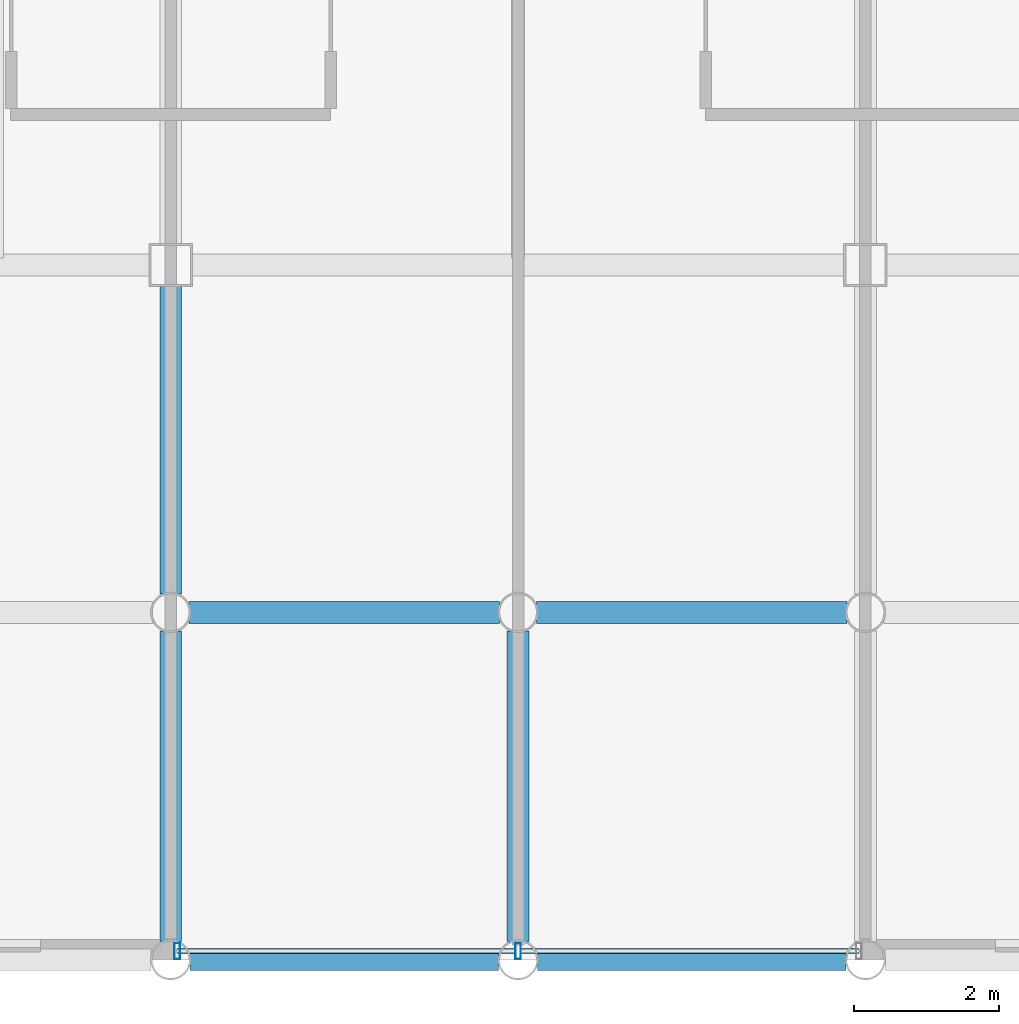
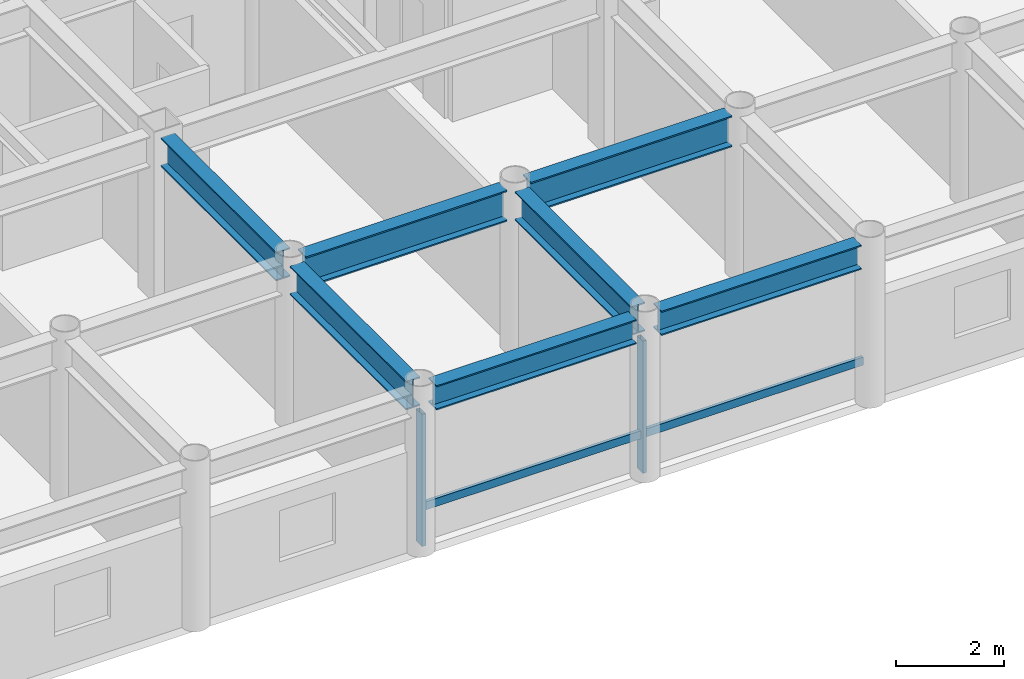
# One storey, part 4 of 23: 7 beams, 4 members, 1 element without a shape of its own.
"""IFC4 building model written with IfcOpenShell, lengths in metres."""

from ifc_helpers import new_model, si_unit, direction, frame, origin, origin_2d, place, context, subcontext, project, spatial, hollow_rectangle, i_section, extrude, material, layer, layer_set, material_profile, profile_set, type_object, element, aggregate, save


model = new_model("IFC4")

# Units and contexts
model_context = context("Model", 3, precision=1e-05, world=origin(), true_north=direction((0.0, 1.0)))
body_context = subcontext(model_context, "Body", "Model", "MODEL_VIEW")
ifc_project = project(units=[si_unit("LENGTHUNIT", "METRE"), si_unit("AREAUNIT", "SQUARE_METRE"), si_unit("VOLUMEUNIT", "CUBIC_METRE"), si_unit("PLANEANGLEUNIT", "RADIAN"), si_unit("MASSUNIT", "GRAM", prefix="KILO")], contexts=[model_context])

# Site, building, storey
site_placement = place(None, origin())
site = spatial("IfcSite", under=ifc_project, at=site_placement, CompositionType="ELEMENT")
building_placement = place(site_placement, origin())
building = spatial("IfcBuilding", under=site, at=building_placement, Name="Kallvorn Hotel Tower", CompositionType="ELEMENT")
storey_placement = place(building_placement, frame((0.0, 0.0, 195.35009765625)))
storey = spatial("IfcBuildingStorey", under=building, at=storey_placement, Name="L48", CompositionType="ELEMENT", Elevation=195.35009765625)

# Beams
ifc_material_1 = material(Name="Structural steel S355JR", Category="steel")
ifc_material_profile_1 = material_profile(ifc_material_1, i_section(OverallWidth=0.300048828125, OverallDepth=0.550048828125, WebThickness=0.014892578125, FlangeThickness=0.029052734375, at=origin_2d()), Name="HE 550 B")
ifc_profile_set_1 = profile_set([ifc_material_profile_1], Name="Structural steel S355JR")
beam_type_1 = type_object("IfcBeamType", Name="BM_HE550B", PredefinedType="SPANDREL", material=ifc_profile_set_1)
for number, where, z_axis, x_axis, name in (
    (1, (-4.530517578125, -24.0, 3.39501953125), (1.0, 0.0, 0.0), (0.0, 1.0, 0.0), "L49 Perimeter Spandrel 155"),
    (2, (0.26953125, -24.0, 3.39501953125), (1.0, 0.0, 0.0), (0.0, 1.0, 0.0), "L49 Perimeter Spandrel 156"),
):
    element("IfcBeam", number, at=place(storey_placement, frame(where, z_axis=z_axis, x_axis=x_axis)), inside=storey, type_object=beam_type_1, Name=name, PredefinedType="SPANDREL", context=body_context, shape_type="SweptSolid", body=[
        extrude(i_section(OverallWidth=0.300048828125, OverallDepth=0.550048828125, WebThickness=0.014892578125, FlangeThickness=0.029052734375, at=origin_2d()), origin(), (0.0, 0.0, 1.0), 4.260986328125),
    ])
ifc_material_2 = material(Name="Structural steel S355JR", Category="steel")
ifc_material_profile_2 = material_profile(ifc_material_2, i_section(OverallWidth=0.300048828125, OverallDepth=0.64990234375, WebThickness=0.01611328125, FlangeThickness=0.031005859375, at=origin_2d()), Name="HE 650 B")
ifc_profile_set_2 = profile_set([ifc_material_profile_2], Name="Structural steel S355JR")
beam_type_2 = type_object("IfcBeamType", Name="BM_HE650B", PredefinedType="BEAM", material=ifc_profile_set_2)
beam_1_placement = place(storey_placement, frame((-4.800048828125, -23.74560546875, 3.344970703125), z_axis=(0.0, 1.0, 0.0), x_axis=(-1.0, 0.0, 0.0)))
element("IfcBeam", 3, at=beam_1_placement, inside=storey, type_object=beam_type_2, Name="L49 Primary Y-Girder 105", PredefinedType="BEAM", context=body_context, shape_type="SweptSolid", body=[
    extrude(i_section(OverallWidth=0.300048828125, OverallDepth=0.64990234375, WebThickness=0.01611328125, FlangeThickness=0.031005859375, at=origin_2d()), origin(), (0.0, 0.0, 1.0), 4.291015625),
])
beam_2_placement = place(storey_placement, frame((-4.800048828125, -18.945556640625, 3.344970703125), z_axis=(0.0, 1.0, 0.0), x_axis=(-1.0, 0.0, 0.0)))
element("IfcBeam", 4, at=beam_2_placement, inside=storey, type_object=beam_type_2, Name="L49 Primary Y-Girder 106", PredefinedType="BEAM", context=body_context, shape_type="SweptSolid", body=[
    extrude(i_section(OverallWidth=0.300048828125, OverallDepth=0.64990234375, WebThickness=0.01611328125, FlangeThickness=0.031005859375, at=origin_2d()), origin(), (0.0, 0.0, 1.0), 4.2705078125),
])
beam_3_placement = place(storey_placement, frame((0.0, -23.74560546875, 3.344970703125), z_axis=(0.0, 1.0, 0.0), x_axis=(-1.0, 0.0, 0.0)))
element("IfcBeam", 5, at=beam_3_placement, inside=storey, type_object=beam_type_2, Name="L49 Primary Y-Girder 110", PredefinedType="BEAM", context=body_context, shape_type="SweptSolid", body=[
    extrude(i_section(OverallWidth=0.300048828125, OverallDepth=0.64990234375, WebThickness=0.01611328125, FlangeThickness=0.031005859375, at=origin_2d()), origin(), (0.0, 0.0, 1.0), 4.291015625),
])
ifc_material_3 = material(Name="Structural steel S355JR", Category="steel")
ifc_material_profile_3 = material_profile(ifc_material_3, i_section(OverallWidth=0.300048828125, OverallDepth=0.699951171875, WebThickness=0.01708984375, FlangeThickness=0.031982421875, at=origin_2d()), Name="HE 700 B")
ifc_profile_set_3 = profile_set([ifc_material_profile_3], Name="Structural steel S355JR")
beam_type_3 = type_object("IfcBeamType", Name="BM_HE700B", PredefinedType="BEAM", material=ifc_profile_set_3)
for number, where, z_axis, x_axis, name in (
    (6, (-4.54541015625, -19.199951171875, 3.31982421875), (1.0, 0.0, 0.0), (0.0, 1.0, 0.0), "L49 Primary X-Girder 06"),
    (7, (0.25439453125, -19.199951171875, 3.31982421875), (1.0, 0.0, 0.0), (0.0, 1.0, 0.0), "L49 Primary X-Girder 07"),
):
    element("IfcBeam", number, at=place(storey_placement, frame(where, z_axis=z_axis, x_axis=x_axis)), inside=storey, type_object=beam_type_3, Name=name, PredefinedType="BEAM", context=body_context, shape_type="SweptSolid", body=[
        extrude(i_section(OverallWidth=0.300048828125, OverallDepth=0.699951171875, WebThickness=0.01708984375, FlangeThickness=0.031982421875, at=origin_2d()), origin(), (0.0, 0.0, 1.0), 4.291015625),
    ])

# Curtain wall, members
ifc_material_4 = material(Name="Thermally broken black-anodised aluminium AA 6063-T6", Category="aluminium")
ifc_layer = layer(ifc_material_4, 0.22998046875)
ifc_layer_set = layer_set([ifc_layer], Name="CW_SYS_5_HOTEL_HIGH")
curtain_wall_type = type_object("IfcCurtainWallType", Name="CW_SYS_5_HOTEL_HIGH", PredefinedType="USERDEFINED", material=ifc_layer_set)
curtain_wall_placement = place(storey_placement, origin())
curtain_wall = element("IfcCurtainWall", 8, at=curtain_wall_placement, inside=storey, type_object=curtain_wall_type, Name="L48 Dark-Glass Curtain Wall CW-L48-SC", ObjectType="UNITISED CURTAIN WALL", PredefinedType="USERDEFINED")
ifc_material_5 = material(Name="Thermally broken black-anodised aluminium AA 6063-T6", Category="aluminium")
ifc_material_profile_4 = material_profile(ifc_material_5, hollow_rectangle(XDim=0.080078125, YDim=0.219970703125, WallThickness=0.0048828125, at=origin_2d()), Name="MUL 220x80")
ifc_profile_set_4 = profile_set([ifc_material_profile_4], Name="Thermally broken black-anodised aluminium AA 6063-T6")
member_type_1 = type_object("IfcMemberType", Name="CW_MULLION_220x80", PredefinedType="MULLION", material=ifc_profile_set_4)
member_1_placement = place(storey_placement, frame((-4.7099609375, -23.8798828125, 0.02001953125), z_axis=(0.0, 0.0, 1.0), x_axis=(1.0, 0.0, 0.0)))
member_1 = element("IfcMember", 9, at=member_1_placement, type_object=member_type_1, Name="CW-L48-SC Mullion 00", PredefinedType="MULLION", context=body_context, shape_type="SweptSolid", body=[
    extrude(hollow_rectangle(XDim=0.080078125, YDim=0.219970703125, WallThickness=0.0048828125, at=origin_2d()), origin(), (0.0, 0.0, 1.0), 2.97998046875),
])
member_2_placement = place(storey_placement, frame((0.0, -23.8798828125, 0.02001953125), z_axis=(0.0, 0.0, 1.0), x_axis=(1.0, 0.0, 0.0)))
member_2 = element("IfcMember", 10, at=member_2_placement, type_object=member_type_1, Name="CW-L48-SC Mullion 01", PredefinedType="MULLION", context=body_context, shape_type="SweptSolid", body=[
    extrude(hollow_rectangle(XDim=0.080078125, YDim=0.219970703125, WallThickness=0.0048828125, at=origin_2d()), origin(), (0.0, 0.0, 1.0), 2.97998046875),
])
ifc_material_6 = material(Name="Thermally broken black-anodised aluminium AA 6063-T6", Category="aluminium")
ifc_material_profile_5 = material_profile(ifc_material_6, hollow_rectangle(XDim=0.070068359375, YDim=0.179931640625, WallThickness=0.00390625, at=origin_2d()), Name="TRN 180x70")
ifc_profile_set_5 = profile_set([ifc_material_profile_5], Name="Thermally broken black-anodised aluminium AA 6063-T6")
member_type_2 = type_object("IfcMemberType", Name="CW_TRANSOM_180x70", PredefinedType="USERDEFINED", material=ifc_profile_set_5)
member_3_placement = place(storey_placement, frame((-4.7099609375, -23.8798828125, 0.849853515625), z_axis=(1.0, 0.0, 0.0), x_axis=(0.0, 1.0, 0.0)))
member_3 = element("IfcMember", 11, at=member_3_placement, type_object=member_type_2, Name="CW-L48-SC Transom 00M", ObjectType="TRANSOM", PredefinedType="USERDEFINED", context=body_context, shape_type="SweptSolid", body=[
    extrude(hollow_rectangle(XDim=0.070068359375, YDim=0.179931640625, WallThickness=0.00390625, at=origin_2d()), origin(), (0.0, 0.0, 1.0), 4.669921875),
])
member_4_placement = place(storey_placement, frame((0.0400390625, -23.8798828125, 0.849853515625), z_axis=(1.0, 0.0, 0.0), x_axis=(0.0, 1.0, 0.0)))
member_4 = element("IfcMember", 12, at=member_4_placement, type_object=member_type_2, Name="CW-L48-SC Transom 01M", ObjectType="TRANSOM", PredefinedType="USERDEFINED", context=body_context, shape_type="SweptSolid", body=[
    extrude(hollow_rectangle(XDim=0.070068359375, YDim=0.179931640625, WallThickness=0.00390625, at=origin_2d()), origin(), (0.0, 0.0, 1.0), 4.669921875),
])
aggregate(curtain_wall, [member_1, member_2, member_3, member_4])

save(model, "model.ifc")
